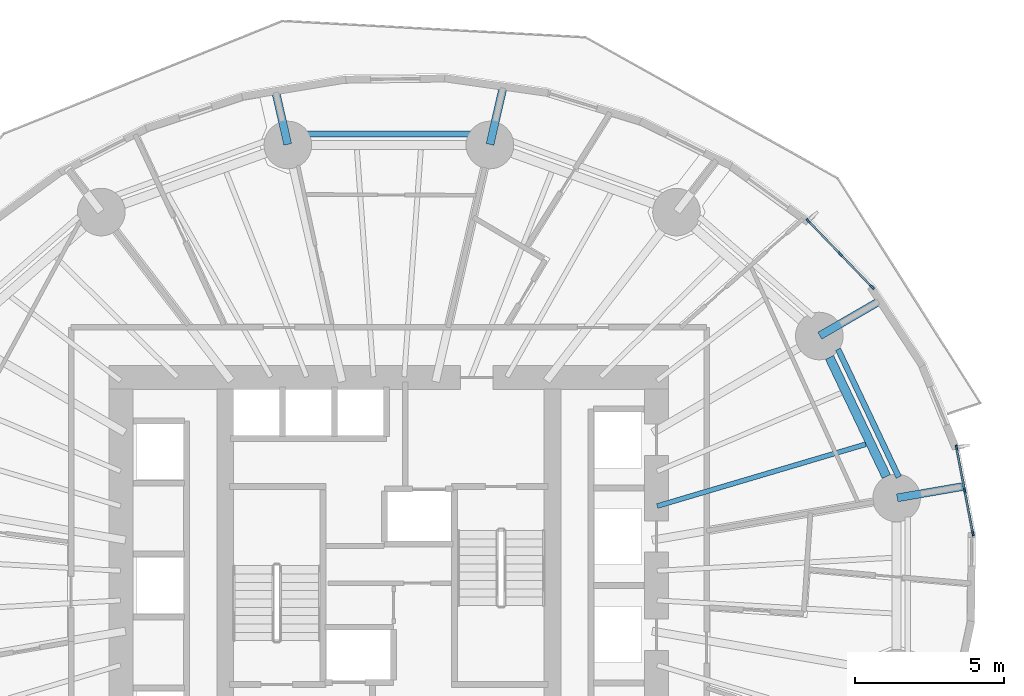
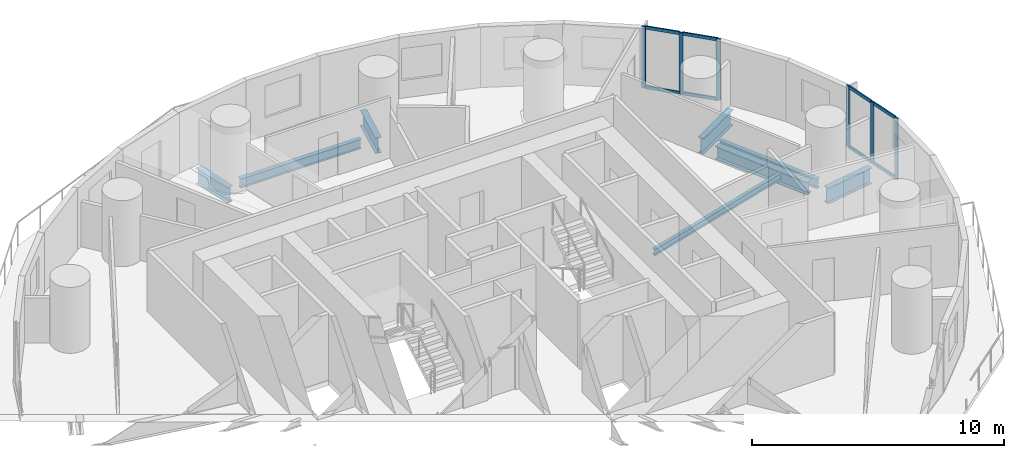
# One storey, part 5 of 14: 14 members, 8 beams, 2 elements without a shape of their own.
"""IFC4 building model written with IfcOpenShell, lengths in metres."""

from ifc_helpers import new_model, si_unit, direction, frame, origin, origin_2d, place, context, subcontext, project, spatial, rectangle, i_section, extrude, material, material_profile, profile_set, type_object, element, aggregate, save


model = new_model("IFC4")

# Units and contexts
model_context = context("Model", 3, precision=1e-05, world=origin(), true_north=direction((0.0, 1.0)))
body_context = subcontext(model_context, "Body", "Model", "MODEL_VIEW")
ifc_project = project(units=[si_unit("LENGTHUNIT", "METRE"), si_unit("AREAUNIT", "SQUARE_METRE"), si_unit("VOLUMEUNIT", "CUBIC_METRE"), si_unit("PLANEANGLEUNIT", "RADIAN"), si_unit("MASSUNIT", "GRAM", prefix="KILO")], contexts=[model_context])

# Site, building, storey
site_placement = place(None, origin())
site = spatial("IfcSite", under=ifc_project, at=site_placement, CompositionType="ELEMENT")
building_placement = place(site_placement, origin())
building = spatial("IfcBuilding", under=site, at=building_placement, Name="Veldorim Arch Residences", CompositionType="ELEMENT")
storey_placement = place(building_placement, frame((0.0, 0.0, 31.199951171875)))
storey = spatial("IfcBuildingStorey", under=building, at=storey_placement, Name="L08", CompositionType="ELEMENT", Elevation=31.199951171875)

# Beams
ifc_material_1 = material(Name="Steel S355", Category="steel")
ifc_material_profile_1 = material_profile(ifc_material_1, i_section(OverallWidth=0.30712890625, OverallDepth=0.6201171875, WebThickness=0.01416015625, FlangeThickness=0.023681640625, at=origin_2d()), Name="UB610x305x179")
ifc_profile_set_1 = profile_set([ifc_material_profile_1], Name="Steel S355")
beam_type_1 = type_object("IfcBeamType", Name="Structural Steel Beam UB610x305x179", PredefinedType="BEAM", material=ifc_profile_set_1)
beam_1_placement = place(storey_placement, frame((48.72119140625, 27.66796875, -0.550048828125), z_axis=(-0.430786696724, 0.902453778276, 0.0), x_axis=(-0.902453778276, -0.430786696724, 0.0)))
element("IfcBeam", 1, at=beam_1_placement, inside=storey, type_object=beam_type_1, Name="L08 perimeter ring tie beam 01", PredefinedType="BEAM", context=body_context, shape_type="SweptSolid", body=[
    extrude(i_section(OverallWidth=0.30712890625, OverallDepth=0.6201171875, WebThickness=0.01416015625, FlangeThickness=0.023681640625, at=origin_2d()), origin(), (0.0, 0.0, 1.0), 4.431396484375),
])
ifc_material_2 = material(Name="Steel S355", Category="steel")
ifc_material_profile_2 = material_profile(ifc_material_2, i_section(OverallWidth=0.26806640625, OverallDepth=0.769775390625, WebThickness=0.015625, FlangeThickness=0.025390625, at=origin_2d()), Name="UB762x267x197")
ifc_profile_set_2 = profile_set([ifc_material_profile_2], Name="Steel S355")
beam_type_2 = type_object("IfcBeamType", Name="Structural Steel GIRDER UB762x267x197", PredefinedType="USERDEFINED", material=ifc_profile_set_2)
beam_2_placement = place(storey_placement, frame((49.08544921875, 26.94921875, -0.624755859375), z_axis=(0.985412784753, 0.17018120826, 0.0), x_axis=(-0.17018120826, 0.985412784753, 0.0)))
element("IfcBeam", 2, at=beam_2_placement, inside=storey, type_object=beam_type_2, Name="L08 radial edge cantilever girder 01", ObjectType="GIRDER", PredefinedType="USERDEFINED", context=body_context, shape_type="SweptSolid", body=[
    extrude(i_section(OverallWidth=0.26806640625, OverallDepth=0.769775390625, WebThickness=0.015625, FlangeThickness=0.025390625, at=origin_2d()), origin(), (0.0, 0.0, 1.0), 2.26513671875),
])
beam_3_placement = place(storey_placement, frame((46.48486328125, 32.399169921875, -0.624755859375), z_axis=(0.865088627534, 0.501619045203, 0.0), x_axis=(-0.501619045203, 0.865088627534, 0.0)))
element("IfcBeam", 3, at=beam_3_placement, inside=storey, type_object=beam_type_2, Name="L08 radial edge cantilever girder 02", ObjectType="GIRDER", PredefinedType="USERDEFINED", context=body_context, shape_type="SweptSolid", body=[
    extrude(i_section(OverallWidth=0.26806640625, OverallDepth=0.769775390625, WebThickness=0.015625, FlangeThickness=0.025390625, at=origin_2d()), origin(), (0.0, 0.0, 1.0), 2.361083984375),
])
beam_4_placement = place(storey_placement, frame((35.399169921875, 38.829345703125, -0.624755859375), z_axis=(0.223397633351, 0.974727396462, 0.0), x_axis=(-0.974727396462, 0.223397633351, 0.0)))
element("IfcBeam", 4, at=beam_4_placement, inside=storey, type_object=beam_type_2, Name="L08 radial edge cantilever girder 04", ObjectType="GIRDER", PredefinedType="USERDEFINED", context=body_context, shape_type="SweptSolid", body=[
    extrude(i_section(OverallWidth=0.26806640625, OverallDepth=0.769775390625, WebThickness=0.015625, FlangeThickness=0.025390625, at=origin_2d()), origin(), (0.0, 0.0, 1.0), 2.025146484375),
])
beam_5_placement = place(storey_placement, frame((28.600830078125, 38.829345703125, -0.624755859375), z_axis=(-0.22337098514, 0.974733503578, 0.0), x_axis=(-0.974733503578, -0.22337098514, 0.0)))
element("IfcBeam", 5, at=beam_5_placement, inside=storey, type_object=beam_type_2, Name="L08 radial edge cantilever girder 05", ObjectType="GIRDER", PredefinedType="USERDEFINED", context=body_context, shape_type="SweptSolid", body=[
    extrude(i_section(OverallWidth=0.26806640625, OverallDepth=0.769775390625, WebThickness=0.015625, FlangeThickness=0.025390625, at=origin_2d()), origin(), (0.0, 0.0, 1.0), 1.868896484375),
])
ifc_material_3 = material(Name="Steel S355", Category="steel")
ifc_material_profile_3 = material_profile(ifc_material_3, i_section(OverallWidth=0.165771484375, OverallDepth=0.306640625, WebThickness=0.006591796875, FlangeThickness=0.01171875, at=origin_2d()), Name="UB305x165x46")
ifc_profile_set_3 = profile_set([ifc_material_profile_3], Name="Steel S355")
beam_type_3 = type_object("IfcBeamType", Name="Structural Steel Joist UB305x165x46", PredefinedType="JOIST", material=ifc_profile_set_3)
beam_6_placement = place(storey_placement, frame((41.019287109375, 26.67333984375, -0.393310546875), z_axis=(0.958766778771, 0.284194060325, 0.0), x_axis=(-0.284194060325, 0.958766778771, 0.0)))
element("IfcBeam", 6, at=beam_6_placement, inside=storey, type_object=beam_type_3, Name="L08 secondary radial floor joist 01-1", PredefinedType="JOIST", context=body_context, shape_type="SweptSolid", body=[
    extrude(i_section(OverallWidth=0.165771484375, OverallDepth=0.306640625, WebThickness=0.006591796875, FlangeThickness=0.01171875, at=origin_2d()), origin(), (0.0, 0.0, 1.0), 7.3115234375),
])
ifc_material_4 = material(Name="Steel S355", Category="steel")
ifc_material_profile_4 = material_profile(ifc_material_4, i_section(OverallWidth=0.19140625, OverallDepth=0.4599609375, WebThickness=0.010009765625, FlangeThickness=0.01611328125, at=origin_2d()), Name="UB457x191x82")
ifc_profile_set_4 = profile_set([ifc_material_profile_4], Name="Steel S355")
beam_type_4 = type_object("IfcBeamType", Name="Structural Steel Spandrel UB457x191x82", PredefinedType="SPANDREL", material=ifc_profile_set_4)
beam_7_placement = place(storey_placement, frame((49.13818359375, 27.646484375, -0.489990234375), z_axis=(-0.42886940858, 0.903366498374, 0.0), x_axis=(-0.903366498374, -0.42886940858, 0.0)))
element("IfcBeam", 7, at=beam_7_placement, inside=storey, type_object=beam_type_4, Name="L08 perimeter chord spandrel beam 01", PredefinedType="SPANDREL", context=body_context, shape_type="SweptSolid", body=[
    extrude(i_section(OverallWidth=0.19140625, OverallDepth=0.4599609375, WebThickness=0.010009765625, FlangeThickness=0.01611328125, at=origin_2d()), origin(), (0.0, 0.0, 1.0), 4.7568359375),
])
beam_8_placement = place(storey_placement, frame((34.775390625, 39.180419921875, -0.489990234375), z_axis=(-1.0, 0.0, 0.0), x_axis=(0.0, -1.0, 0.0)))
element("IfcBeam", 8, at=beam_8_placement, inside=storey, type_object=beam_type_4, Name="L08 perimeter chord spandrel beam 04", PredefinedType="SPANDREL", context=body_context, shape_type="SweptSolid", body=[
    extrude(i_section(OverallWidth=0.19140625, OverallDepth=0.4599609375, WebThickness=0.010009765625, FlangeThickness=0.01611328125, at=origin_2d()), origin(), (0.0, 0.0, 1.0), 5.55078125),
])

# Curtain wall, members
ifc_material_5 = material(Name="Aluminium", Category="aluminium")
curtain_wall_type = type_object("IfcCurtainWallType", Name="Zone 1 Acoustic Low-E Unitised Curtain Wall", PredefinedType="NOTDEFINED", material=ifc_material_5)
curtain_wall_1_placement = place(storey_placement, origin())
curtain_wall_1 = element("IfcCurtainWall", 9, at=curtain_wall_1_placement, inside=storey, type_object=curtain_wall_type, Name="L08 unitised curtain wall bay 01", PredefinedType="NOTDEFINED")
ifc_material_6 = material(Name="Aluminium", Category="aluminium")
ifc_material_profile_5 = material_profile(ifc_material_6, rectangle(XDim=0.06494140625, YDim=0.175048828125, at=origin_2d()), Name="ALU_MUL_65x175")
ifc_profile_set_5 = profile_set([ifc_material_profile_5], Name="Aluminium")
member_type_1 = type_object("IfcMemberType", Name="Zone 1 Acoustic Low-E Unitised Curtain Wall Mullion 65x175", PredefinedType="MULLION", material=ifc_profile_set_5)
member_1_placement = place(storey_placement, frame((51.0791015625, 28.639404296875, 0.0), z_axis=(0.0, 0.0, 1.0), x_axis=(0.982317566124, 0.187222325819, 0.0)))
member_1 = element("IfcMember", 10, at=member_1_placement, type_object=member_type_1, Name="CW-Z1 mullion 1", PredefinedType="MULLION", context=body_context, shape_type="SweptSolid", body=[
    extrude(rectangle(XDim=0.06494140625, YDim=0.175048828125, at=origin_2d()), origin(), (0.0, 0.0, 1.0), 2.9599609375),
])
member_2_placement = place(storey_placement, frame((51.35400390625, 27.197021484375, 0.0), z_axis=(0.0, 0.0, 1.0), x_axis=(0.982317566124, 0.187222325819, 0.0)))
member_2 = element("IfcMember", 11, at=member_2_placement, type_object=member_type_1, Name="CW-Z1 mullion 2", PredefinedType="MULLION", context=body_context, shape_type="SweptSolid", body=[
    extrude(rectangle(XDim=0.06494140625, YDim=0.175048828125, at=origin_2d()), origin(), (0.0, 0.0, 1.0), 2.9599609375),
])
member_3_placement = place(storey_placement, frame((51.62890625, 25.754638671875, 0.0), z_axis=(0.0, 0.0, 1.0), x_axis=(0.982317566124, 0.187222325819, 0.0)))
member_3 = element("IfcMember", 12, at=member_3_placement, type_object=member_type_1, Name="CW-Z1 mullion 3", PredefinedType="MULLION", context=body_context, shape_type="SweptSolid", body=[
    extrude(rectangle(XDim=0.06494140625, YDim=0.175048828125, at=origin_2d()), origin(), (0.0, 0.0, 1.0), 2.9599609375),
])

curtain_wall_2_placement = place(storey_placement, origin())
curtain_wall_2 = element("IfcCurtainWall", 13, at=curtain_wall_2_placement, inside=storey, type_object=curtain_wall_type, Name="L08 unitised curtain wall bay 04", PredefinedType="NOTDEFINED")
member_4_placement = place(storey_placement, frame((46.095458984375, 36.259765625, 0.0), z_axis=(0.0, 0.0, 1.0), x_axis=(0.720420523139, 0.693537504278, 0.0)))
member_4 = element("IfcMember", 14, at=member_4_placement, type_object=member_type_1, Name="CW-Z1 mullion 1", PredefinedType="MULLION", context=body_context, shape_type="SweptSolid", body=[
    extrude(rectangle(XDim=0.06494140625, YDim=0.175048828125, at=origin_2d()), origin(), (0.0, 0.0, 1.0), 2.9599609375),
])
member_5_placement = place(storey_placement, frame((47.166748046875, 35.14697265625, 0.0), z_axis=(0.0, 0.0, 1.0), x_axis=(0.720420523139, 0.693537504278, 0.0)))
member_5 = element("IfcMember", 15, at=member_5_placement, type_object=member_type_1, Name="CW-Z1 mullion 2", PredefinedType="MULLION", context=body_context, shape_type="SweptSolid", body=[
    extrude(rectangle(XDim=0.06494140625, YDim=0.175048828125, at=origin_2d()), origin(), (0.0, 0.0, 1.0), 2.9599609375),
])
member_6_placement = place(storey_placement, frame((48.23828125, 34.0341796875, 0.0), z_axis=(0.0, 0.0, 1.0), x_axis=(0.720420523139, 0.693537504278, 0.0)))
member_6 = element("IfcMember", 16, at=member_6_placement, type_object=member_type_1, Name="CW-Z1 mullion 3", PredefinedType="MULLION", context=body_context, shape_type="SweptSolid", body=[
    extrude(rectangle(XDim=0.06494140625, YDim=0.175048828125, at=origin_2d()), origin(), (0.0, 0.0, 1.0), 2.9599609375),
])

# Member
ifc_material_7 = material(Name="Aluminium", Category="aluminium")
ifc_material_profile_6 = material_profile(ifc_material_7, rectangle(XDim=0.06494140625, YDim=0.14990234375, at=origin_2d()), Name="ALU_TRN_65x150")
ifc_profile_set_6 = profile_set([ifc_material_profile_6], Name="Aluminium")
member_type_2 = type_object("IfcMemberType", Name="Zone 1 Acoustic Low-E Unitised Curtain Wall Transom 65x150", PredefinedType="USERDEFINED", material=ifc_profile_set_6)
member_7_placement = place(storey_placement, frame((51.085205078125, 28.607421875, 0.032470703125), z_axis=(0.187176056103, -0.982326383654, 0.0), x_axis=(0.982326383654, 0.187176056103, 0.0)))
member_7 = element("IfcMember", 17, at=member_7_placement, type_object=member_type_2, Name="CW-Z1 transom 1.1", ObjectType="TRANSOM", PredefinedType="USERDEFINED", context=body_context, shape_type="SweptSolid", body=[
    extrude(rectangle(XDim=0.06494140625, YDim=0.14990234375, at=origin_2d()), origin(), (0.0, 0.0, 1.0), 1.403564453125),
])

member_8_placement = place(storey_placement, frame((51.085205078125, 28.607421875, 2.927490234375), z_axis=(0.187176056103, -0.982326383654, 0.0), x_axis=(0.982326383654, 0.187176056103, 0.0)))
member_8 = element("IfcMember", 18, at=member_8_placement, type_object=member_type_2, Name="CW-Z1 transom 1.2", ObjectType="TRANSOM", PredefinedType="USERDEFINED", context=body_context, shape_type="SweptSolid", body=[
    extrude(rectangle(XDim=0.06494140625, YDim=0.14990234375, at=origin_2d()), origin(), (0.0, 0.0, 1.0), 1.403564453125),
])

member_9_placement = place(storey_placement, frame((51.360107421875, 27.1650390625, 0.032470703125), z_axis=(0.187176056103, -0.982326383654, 0.0), x_axis=(0.982326383654, 0.187176056103, 0.0)))
member_9 = element("IfcMember", 19, at=member_9_placement, type_object=member_type_2, Name="CW-Z1 transom 2.1", ObjectType="TRANSOM", PredefinedType="USERDEFINED", context=body_context, shape_type="SweptSolid", body=[
    extrude(rectangle(XDim=0.06494140625, YDim=0.14990234375, at=origin_2d()), origin(), (0.0, 0.0, 1.0), 1.403564453125),
])

member_10_placement = place(storey_placement, frame((51.360107421875, 27.1650390625, 2.927490234375), z_axis=(0.187176056103, -0.982326383654, 0.0), x_axis=(0.982326383654, 0.187176056103, 0.0)))
member_10 = element("IfcMember", 20, at=member_10_placement, type_object=member_type_2, Name="CW-Z1 transom 2.2", ObjectType="TRANSOM", PredefinedType="USERDEFINED", context=body_context, shape_type="SweptSolid", body=[
    extrude(rectangle(XDim=0.06494140625, YDim=0.14990234375, at=origin_2d()), origin(), (0.0, 0.0, 1.0), 1.403564453125),
])

aggregate(curtain_wall_1, [member_1, member_2, member_3, member_7, member_8, member_9, member_10])

member_11_placement = place(storey_placement, frame((46.1181640625, 36.236572265625, 0.032470703125), z_axis=(0.693448255171, -0.7205064312, 0.0), x_axis=(0.7205064312, 0.693448255171, 0.0)))
member_11 = element("IfcMember", 21, at=member_11_placement, type_object=member_type_2, Name="CW-Z1 transom 1.1", ObjectType="TRANSOM", PredefinedType="USERDEFINED", context=body_context, shape_type="SweptSolid", body=[
    extrude(rectangle(XDim=0.06494140625, YDim=0.14990234375, at=origin_2d()), origin(), (0.0, 0.0, 1.0), 1.479736328125),
])

member_12_placement = place(storey_placement, frame((46.1181640625, 36.236572265625, 2.927490234375), z_axis=(0.693448255171, -0.7205064312, 0.0), x_axis=(0.7205064312, 0.693448255171, 0.0)))
member_12 = element("IfcMember", 22, at=member_12_placement, type_object=member_type_2, Name="CW-Z1 transom 1.2", ObjectType="TRANSOM", PredefinedType="USERDEFINED", context=body_context, shape_type="SweptSolid", body=[
    extrude(rectangle(XDim=0.06494140625, YDim=0.14990234375, at=origin_2d()), origin(), (0.0, 0.0, 1.0), 1.479736328125),
])

member_13_placement = place(storey_placement, frame((47.189453125, 35.12353515625, 0.032470703125), z_axis=(0.693530694473, -0.720427078769, 0.0), x_axis=(0.720427078769, 0.693530694473, 0.0)))
member_13 = element("IfcMember", 23, at=member_13_placement, type_object=member_type_2, Name="CW-Z1 transom 2.1", ObjectType="TRANSOM", PredefinedType="USERDEFINED", context=body_context, shape_type="SweptSolid", body=[
    extrude(rectangle(XDim=0.06494140625, YDim=0.14990234375, at=origin_2d()), origin(), (0.0, 0.0, 1.0), 1.4794921875),
])

member_14_placement = place(storey_placement, frame((47.189453125, 35.12353515625, 2.927490234375), z_axis=(0.693530694473, -0.720427078769, 0.0), x_axis=(0.720427078769, 0.693530694473, 0.0)))
member_14 = element("IfcMember", 24, at=member_14_placement, type_object=member_type_2, Name="CW-Z1 transom 2.2", ObjectType="TRANSOM", PredefinedType="USERDEFINED", context=body_context, shape_type="SweptSolid", body=[
    extrude(rectangle(XDim=0.06494140625, YDim=0.14990234375, at=origin_2d()), origin(), (0.0, 0.0, 1.0), 1.4794921875),
])

aggregate(curtain_wall_2, [member_4, member_5, member_6, member_11, member_12, member_13, member_14])

save(model, "model.ifc")
